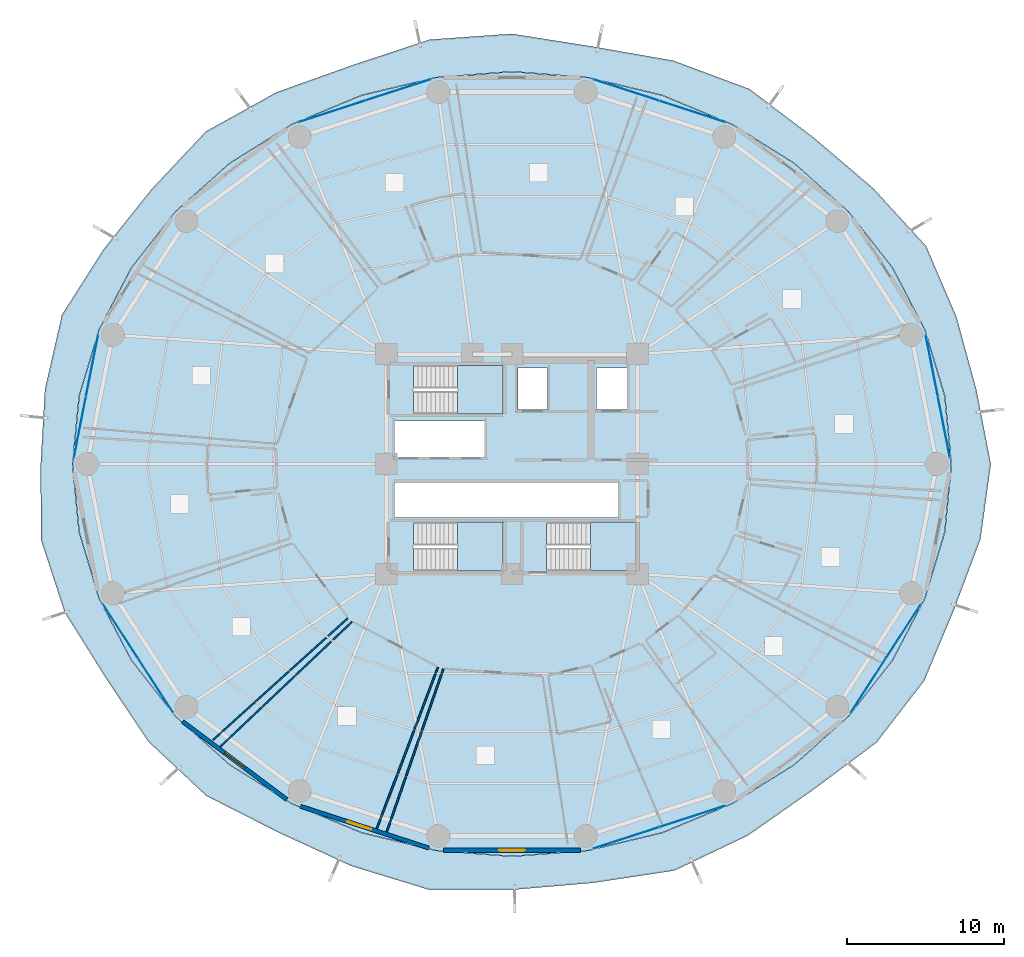
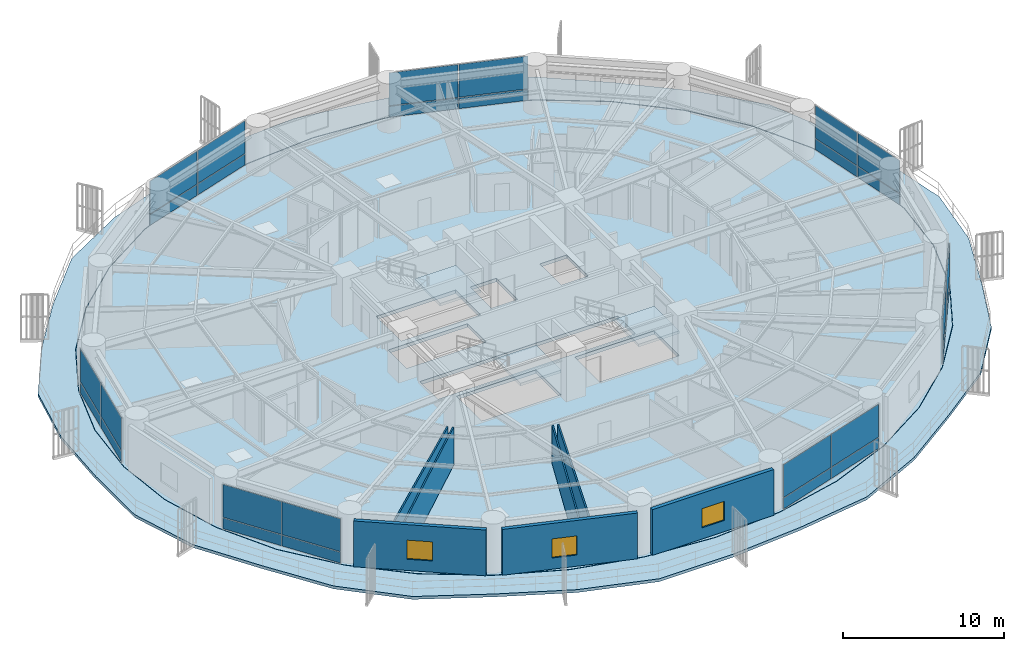
# One storey, part 22 of 32: 28 plates, 7 walls, 5 slabs, 3 windows, 3 openings, 10 elements without a shape of their own.
"""IFC4 building model written with IfcOpenShell, lengths in metres."""

from ifc_helpers import new_model, si_unit, direction, frame, frame_2d, origin, origin_2d, place, context, subcontext, project, spatial, polyline, rectangle, outline, extrude, source, transform, mapped, material, layer, layer_set, type_object, element, fill, aggregate, save


model = new_model("IFC4")

# Units and contexts
model_context = context("Model", 3, precision=1e-05, world=origin(), true_north=direction((0.0, 1.0)))
body_context = subcontext(model_context, "Body", "Model", "MODEL_VIEW")
ifc_project = project(units=[si_unit("LENGTHUNIT", "METRE"), si_unit("AREAUNIT", "SQUARE_METRE"), si_unit("VOLUMEUNIT", "CUBIC_METRE"), si_unit("PLANEANGLEUNIT", "RADIAN"), si_unit("MASSUNIT", "GRAM", prefix="KILO")], contexts=[model_context])

# Site, building, storey
site_placement = place(None, origin())
site = spatial("IfcSite", under=ifc_project, at=site_placement, CompositionType="ELEMENT")
building_placement = place(site_placement, origin())
building = spatial("IfcBuilding", under=site, at=building_placement, Name="Kelanora Arch Commons", CompositionType="ELEMENT")
storey_placement = place(building_placement, frame((0.0, 0.0, 56.25)))
storey = spatial("IfcBuildingStorey", under=building, at=storey_placement, Name="L14", CompositionType="ELEMENT", Elevation=56.25)

# Stair, slab
ifc_material_1 = material(Name="Concrete C40/50", Category="concrete")
stair_type = type_object("IfcStairType", Name="STR-DL-375", PredefinedType="HALF_TURN_STAIR", material=ifc_material_1)
stair_1_placement = place(storey_placement, origin())
stair_1 = element("IfcStair", 1, at=stair_1_placement, inside=storey, type_object=stair_type, Name="L14 ST-T1", PredefinedType="HALF_TURN_STAIR")
ifc_layer_1 = layer(ifc_material_1, 0.199951171875)
ifc_layer_set_1 = layer_set([ifc_layer_1], Name="Concrete C40/50")
slab_type_1 = type_object("IfcSlabType", Name="SLB-STAIR-LND", PredefinedType="LANDING", material=ifc_layer_set_1)
slab_1_placement = place(storey_placement, frame((0.0, 0.0, 1.675048828125)))
slab_1 = element("IfcSlab", 2, at=slab_1_placement, type_object=slab_type_1, Name="ST-T1 landing 1", PredefinedType="LANDING", context=body_context, shape_type="SweptSolid", body=[
    extrude(outline(polyline([(70.52001953125, 61.179931640625), (73.43994140625, 61.179931640625), (73.43994140625, 64.2900390625), (70.52001953125, 64.2900390625), (70.52001953125, 61.179931640625)])), origin(), (0.0, 0.0, 1.0), 0.199951171875),
])
aggregate(stair_1, [slab_1])

stair_2_placement = place(storey_placement, origin())
stair_2 = element("IfcStair", 3, at=stair_2_placement, inside=storey, type_object=stair_type, Name="L14 ST-T2", PredefinedType="HALF_TURN_STAIR")
slab_2_placement = place(storey_placement, frame((0.0, 0.0, 1.675048828125)))
slab_2 = element("IfcSlab", 4, at=slab_2_placement, type_object=slab_type_1, Name="ST-T2 landing 1", PredefinedType="LANDING", context=body_context, shape_type="SweptSolid", body=[
    extrude(outline(polyline([(79.0, 51.179931640625), (81.919921875, 51.179931640625), (81.919921875, 54.2900390625), (79.0, 54.2900390625), (79.0, 51.179931640625)])), origin(), (0.0, 0.0, 1.0), 0.199951171875),
])
aggregate(stair_2, [slab_2])

stair_3_placement = place(storey_placement, origin())
stair_3 = element("IfcStair", 5, at=stair_3_placement, inside=storey, type_object=stair_type, Name="L14 ST-T3", PredefinedType="HALF_TURN_STAIR")
slab_3_placement = place(storey_placement, frame((0.0, 0.0, 1.675048828125)))
slab_3 = element("IfcSlab", 6, at=slab_3_placement, type_object=slab_type_1, Name="ST-T3 landing 1", PredefinedType="LANDING", context=body_context, shape_type="SweptSolid", body=[
    extrude(outline(polyline([(70.52001953125, 51.179931640625), (73.43994140625, 51.179931640625), (73.43994140625, 54.2900390625), (70.52001953125, 54.2900390625), (70.52001953125, 51.179931640625)])), origin(), (0.0, 0.0, 1.0), 0.199951171875),
])
aggregate(stair_3, [slab_3])

# Slabs
ifc_layer_2 = layer(ifc_material_1, 0.260009765625)
ifc_layer_set_2 = layer_set([ifc_layer_2], Name="Concrete C40/50")
slab_type_2 = type_object("IfcSlabType", Name="SLB-TWR-TYP", PredefinedType="FLOOR", material=ifc_layer_set_2)
slab_4_placement = place(storey_placement, frame((0.0, 0.0, -0.260009765625)))
element("IfcSlab", 7, at=slab_4_placement, inside=storey, type_object=slab_type_2, Name="Tower Floor Slab L14", PredefinedType="FLOOR", context=body_context, shape_type="SweptSolid", body=[
    extrude(outline(polyline([(102.0, 58.0), (101.57470703125, 62.34130859375), (100.311279296875, 66.550537109375), (98.248779296875, 70.5), (95.44921875, 74.069580078125), (91.998046875, 77.151123046875), (88.0, 79.650634765625), (83.57666015625, 81.4921875), (78.862060546875, 82.6201171875), (74.0, 83.0), (69.137939453125, 82.6201171875), (64.42333984375, 81.4921875), (60.0, 79.650634765625), (56.001953125, 77.151123046875), (52.55078125, 74.069580078125), (49.751220703125, 70.5), (47.688720703125, 66.550537109375), (46.42529296875, 62.34130859375), (46.0, 58.0), (46.42529296875, 53.65869140625), (47.688720703125, 49.449462890625), (49.751220703125, 45.5), (52.55078125, 41.930419921875), (56.001953125, 38.848876953125), (60.0, 36.349365234375), (64.42333984375, 34.5078125), (69.137939453125, 33.3798828125), (74.0, 33.0), (78.862060546875, 33.3798828125), (83.57666015625, 34.5078125), (88.0, 36.349365234375), (91.998046875, 38.848876953125), (95.44921875, 41.930419921875), (98.248779296875, 45.5), (100.311279296875, 49.449462890625), (101.57470703125, 53.65869140625), (102.0, 58.0)]), holes=[polyline([(73.431884765625, 51.18798828125), (67.72802734375, 51.18798828125), (67.72802734375, 54.281982421875), (73.431884765625, 54.281982421875), (73.431884765625, 51.18798828125)]), polyline([(76.2080078125, 51.18798828125), (76.2080078125, 54.281982421875), (81.912109375, 54.281982421875), (81.912109375, 51.18798828125), (76.2080078125, 51.18798828125)]), polyline([(66.550048828125, 54.60009765625), (66.550048828125, 56.800048828125), (80.75, 56.800048828125), (80.75, 54.60009765625), (66.550048828125, 54.60009765625)]), polyline([(66.550048828125, 58.449951171875), (66.550048828125, 60.75), (72.25, 60.75), (72.25, 58.449951171875), (66.550048828125, 58.449951171875)]), polyline([(67.72802734375, 61.18798828125), (67.72802734375, 64.281982421875), (73.431884765625, 64.281982421875), (73.431884765625, 61.18798828125), (67.72802734375, 61.18798828125)]), polyline([(74.3798828125, 61.47998046875), (74.3798828125, 64.1201171875), (76.260009765625, 64.1201171875), (76.260009765625, 61.47998046875), (74.3798828125, 61.47998046875)]), polyline([(79.3798828125, 61.47998046875), (79.3798828125, 64.1201171875), (81.320068359375, 64.1201171875), (81.320068359375, 61.47998046875), (79.3798828125, 61.47998046875)])]), origin(), (0.0, 0.0, 1.0), 0.260009765625),
])
ifc_layer_3 = layer(ifc_material_1, 0.219970703125)
ifc_layer_set_3 = layer_set([ifc_layer_3], Name="Concrete C40/50")
slab_type_3 = type_object("IfcSlabType", Name="SLB-WAVE-BAL", PredefinedType="FLOOR", material=ifc_layer_set_3)
slab_5_placement = place(storey_placement, frame((0.0, 0.0, -0.219970703125)))
element("IfcSlab", 8, at=slab_5_placement, inside=storey, type_object=slab_type_3, Name="Sinusoidal Wave Balcony Slab L14", PredefinedType="FLOOR", context=body_context, shape_type="SweptSolid", body=[
    extrude(outline(polyline([(104.52490234375, 58.0), (103.603515625, 62.741943359375), (102.336181640625, 67.3759765625), (100.400390625, 71.891357421875), (97.042724609375, 75.567138671875), (93.238037109375, 78.80615234375), (89.156982421875, 81.89501953125), (84.297119140625, 83.709228515625), (79.17431640625, 84.6025390625), (74.0, 85.422607421875), (68.7548828125, 85.052734375), (63.79931640625, 83.412841796875), (58.9541015625, 81.679443359375), (54.4755859375, 79.1884765625), (51.0185546875, 75.509521484375), (47.9521484375, 71.663330078125), (45.319580078125, 67.51611328125), (44.23388671875, 62.77392578125), (43.9599609375, 58.0), (43.9755859375, 53.175048828125), (45.486328125, 48.5517578125), (48.069580078125, 44.41259765625), (50.817626953125, 40.301513671875), (54.5048828125, 36.8505859375), (59.065185546875, 34.5361328125), (63.73291015625, 32.38330078125), (68.739990234375, 30.852783203125), (74.0, 30.857421875), (79.189208984375, 31.302978515625), (84.36328125, 32.086669921875), (89.0458984375, 34.320556640625), (93.208984375, 37.23291015625), (97.24365234375, 40.243896484375), (100.282958984375, 44.1845703125), (102.169677734375, 48.69189453125), (103.861572265625, 53.207275390625), (104.52490234375, 58.0)]), holes=[polyline([(101.59423828125, 53.6552734375), (100.330078125, 49.442626953125), (98.26611328125, 45.489990234375), (95.464599609375, 41.91748046875), (92.010986328125, 38.83349609375), (88.010009765625, 36.33203125), (83.58349609375, 34.489013671875), (78.865478515625, 33.360107421875), (74.0, 32.97998046875), (69.134521484375, 33.360107421875), (64.41650390625, 34.489013671875), (59.989990234375, 36.33203125), (55.989013671875, 38.83349609375), (52.535400390625, 41.91748046875), (49.73388671875, 45.489990234375), (47.669921875, 49.442626953125), (46.40576171875, 53.6552734375), (45.97998046875, 58.0), (46.40576171875, 62.3447265625), (47.669921875, 66.557373046875), (49.73388671875, 70.510009765625), (52.535400390625, 74.08251953125), (55.989013671875, 77.16650390625), (59.989990234375, 79.66796875), (64.41650390625, 81.510986328125), (69.134521484375, 82.639892578125), (74.0, 83.02001953125), (78.865478515625, 82.639892578125), (83.58349609375, 81.510986328125), (88.010009765625, 79.66796875), (92.010986328125, 77.16650390625), (95.464599609375, 74.08251953125), (98.26611328125, 70.510009765625), (100.330078125, 66.557373046875), (101.59423828125, 62.3447265625), (102.02001953125, 58.0), (101.59423828125, 53.6552734375)])]), origin(), (0.0, 0.0, 1.0), 0.219970703125),
])

# Curtain wall, plates
ifc_material_2 = material(Name="Terracotta ceramic-fritted low-E glass and aluminium", Category="masonry")
ifc_layer_4 = layer(ifc_material_2, 0.159912109375)
ifc_layer_set_4 = layer_set([ifc_layer_4], Name="Terracotta ceramic-fritted low-E glass and aluminium")
curtain_wall_type = type_object("IfcCurtainWallType", Name="CW-SYS-01", PredefinedType="NOTDEFINED", material=ifc_layer_set_4)
curtain_wall_1_placement = place(storey_placement, origin())
curtain_wall_1 = element("IfcCurtainWall", 9, at=curtain_wall_1_placement, inside=storey, type_object=curtain_wall_type, Name="Unitised Curtain Wall L14-B00", PredefinedType="NOTDEFINED")
ifc_material_3 = material(Name="Terracotta ceramic-fritted double glazing", Category="masonry")
ifc_layer_5 = layer(ifc_material_3, 0.028076171875)
ifc_layer_set_5 = layer_set([ifc_layer_5], Name="Terracotta ceramic-fritted double glazing")
plate_type = type_object("IfcPlateType", Name="CWP-FRIT", PredefinedType="CURTAIN_PANEL", material=ifc_layer_set_5)
shared_shape_1 = source(origin(), body_context, "Body", "SweptSolid", [
    extrude(rectangle(XDim=3.9482421875, YDim=0.028076171875, at=origin_2d()), origin(), (0.0, 0.0, 1.0), 0.81005859375),
])
plate_1_placement = place(storey_placement, frame((101.536865234375, 60.34521484375, 0.06005859375), z_axis=(0.0, 0.0, 1.0), x_axis=(-0.193744048498, 0.981052110579, 0.0)))
plate_1 = element("IfcPlate", 10, at=plate_1_placement, type_object=plate_type, Name="CW-01 panel 1.1", PredefinedType="CURTAIN_PANEL", context=body_context, shape_type="MappedRepresentation", body=[
    mapped(shared_shape_1, transform((0.0, 0.0, 0.0), scale=1.0)),
])
plate_2_placement = place(storey_placement, frame((100.76025390625, 64.277587890625, 0.06005859375), z_axis=(0.0, 0.0, 1.0), x_axis=(-0.193744048498, 0.981052110579, 0.0)))
plate_2 = element("IfcPlate", 11, at=plate_2_placement, type_object=plate_type, Name="CW-01 panel 2.1", PredefinedType="CURTAIN_PANEL", context=body_context, shape_type="MappedRepresentation", body=[
    mapped(shared_shape_1, transform((0.0, 0.0, 0.0), scale=1.0)),
])

curtain_wall_2_placement = place(storey_placement, origin())
curtain_wall_2 = element("IfcCurtainWall", 12, at=curtain_wall_2_placement, inside=storey, type_object=curtain_wall_type, Name="Unitised Curtain Wall L14-B08", PredefinedType="NOTDEFINED")
plate_3_placement = place(storey_placement, frame((47.23974609375, 64.277587890625, 0.06005859375), z_axis=(0.0, 0.0, 1.0), x_axis=(-0.193744048498, -0.981052110579, 0.0)))
plate_3 = element("IfcPlate", 13, at=plate_3_placement, type_object=plate_type, Name="CW-01 panel 1.1", PredefinedType="CURTAIN_PANEL", context=body_context, shape_type="MappedRepresentation", body=[
    mapped(shared_shape_1, transform((0.0, 0.0, 0.0), scale=1.0)),
])
plate_4_placement = place(storey_placement, frame((46.463134765625, 60.34521484375, 0.06005859375), z_axis=(0.0, 0.0, 1.0), x_axis=(-0.193744048498, -0.981052110579, 0.0)))
plate_4 = element("IfcPlate", 14, at=plate_4_placement, type_object=plate_type, Name="CW-01 panel 2.1", PredefinedType="CURTAIN_PANEL", context=body_context, shape_type="MappedRepresentation", body=[
    mapped(shared_shape_1, transform((0.0, 0.0, 0.0), scale=1.0)),
])

# Plate
shared_shape_2 = source(origin(), body_context, "Body", "SweptSolid", [
    extrude(rectangle(XDim=3.9482421875, YDim=0.028076171875, at=origin_2d()), origin(), (0.0, 0.0, 1.0), 2.485107421875),
])
plate_5_placement = place(storey_placement, frame((101.536865234375, 60.34521484375, 0.93017578125), z_axis=(0.0, 0.0, 1.0), x_axis=(-0.193744048498, 0.981052110579, 0.0)))
plate_5 = element("IfcPlate", 15, at=plate_5_placement, type_object=plate_type, Name="CW-01 panel 1.2", PredefinedType="CURTAIN_PANEL", context=body_context, shape_type="MappedRepresentation", body=[
    mapped(shared_shape_2, transform((0.0, 0.0, 0.0), scale=1.0)),
])

plate_6_placement = place(storey_placement, frame((100.76025390625, 64.277587890625, 0.93017578125), z_axis=(0.0, 0.0, 1.0), x_axis=(-0.193744048498, 0.981052110579, 0.0)))
plate_6 = element("IfcPlate", 16, at=plate_6_placement, type_object=plate_type, Name="CW-01 panel 2.2", PredefinedType="CURTAIN_PANEL", context=body_context, shape_type="MappedRepresentation", body=[
    mapped(shared_shape_2, transform((0.0, 0.0, 0.0), scale=1.0)),
])

aggregate(curtain_wall_1, [plate_1, plate_5, plate_2, plate_6])

plate_7_placement = place(storey_placement, frame((47.23974609375, 64.277587890625, 0.93017578125), z_axis=(0.0, 0.0, 1.0), x_axis=(-0.193744048498, -0.981052110579, 0.0)))
plate_7 = element("IfcPlate", 17, at=plate_7_placement, type_object=plate_type, Name="CW-01 panel 1.2", PredefinedType="CURTAIN_PANEL", context=body_context, shape_type="MappedRepresentation", body=[
    mapped(shared_shape_2, transform((0.0, 0.0, 0.0), scale=1.0)),
])

plate_8_placement = place(storey_placement, frame((46.463134765625, 60.34521484375, 0.93017578125), z_axis=(0.0, 0.0, 1.0), x_axis=(-0.193744048498, -0.981052110579, 0.0)))
plate_8 = element("IfcPlate", 18, at=plate_8_placement, type_object=plate_type, Name="CW-01 panel 2.2", PredefinedType="CURTAIN_PANEL", context=body_context, shape_type="MappedRepresentation", body=[
    mapped(shared_shape_2, transform((0.0, 0.0, 0.0), scale=1.0)),
])

aggregate(curtain_wall_2, [plate_3, plate_7, plate_4, plate_8])

# Curtain wall, plates
curtain_wall_3_placement = place(storey_placement, origin())
curtain_wall_3 = element("IfcCurtainWall", 19, at=curtain_wall_3_placement, inside=storey, type_object=curtain_wall_type, Name="Unitised Curtain Wall L14-B03", PredefinedType="NOTDEFINED")
shared_shape_3 = source(origin(), body_context, "Body", "SweptSolid", [
    extrude(rectangle(XDim=4.39453125, YDim=0.028076171875, at=origin_2d()), origin(), (0.0, 0.0, 1.0), 0.81005859375),
])
plate_9_placement = place(storey_placement, frame((85.4892578125, 80.466552734375, 0.06005859375), z_axis=(0.0, 0.0, 1.0), x_axis=(-0.951043326793, 0.30905758454, 0.0)))
plate_9 = element("IfcPlate", 20, at=plate_9_placement, type_object=plate_type, Name="CW-01 panel 1.1", PredefinedType="CURTAIN_PANEL", context=body_context, shape_type="MappedRepresentation", body=[
    mapped(shared_shape_3, transform((0.0, 0.0, 0.0), scale=1.0)),
])
plate_10_placement = place(storey_placement, frame((81.252685546875, 81.84326171875, 0.06005859375), z_axis=(0.0, 0.0, 1.0), x_axis=(-0.951043326793, 0.30905758454, 0.0)))
plate_10 = element("IfcPlate", 21, at=plate_10_placement, type_object=plate_type, Name="CW-01 panel 2.1", PredefinedType="CURTAIN_PANEL", context=body_context, shape_type="MappedRepresentation", body=[
    mapped(shared_shape_3, transform((0.0, 0.0, 0.0), scale=1.0)),
])

curtain_wall_4_placement = place(storey_placement, origin())
curtain_wall_4 = element("IfcCurtainWall", 22, at=curtain_wall_4_placement, inside=storey, type_object=curtain_wall_type, Name="Unitised Curtain Wall L14-B05", PredefinedType="NOTDEFINED")
plate_11_placement = place(storey_placement, frame((66.747314453125, 81.84326171875, 0.06005859375), z_axis=(0.0, 0.0, 1.0), x_axis=(-0.951043326793, -0.30905758454, 0.0)))
plate_11 = element("IfcPlate", 23, at=plate_11_placement, type_object=plate_type, Name="CW-01 panel 1.1", PredefinedType="CURTAIN_PANEL", context=body_context, shape_type="MappedRepresentation", body=[
    mapped(shared_shape_3, transform((0.0, 0.0, 0.0), scale=1.0)),
])
plate_12_placement = place(storey_placement, frame((62.5107421875, 80.466552734375, 0.06005859375), z_axis=(0.0, 0.0, 1.0), x_axis=(-0.951043326793, -0.30905758454, 0.0)))
plate_12 = element("IfcPlate", 24, at=plate_12_placement, type_object=plate_type, Name="CW-01 panel 2.1", PredefinedType="CURTAIN_PANEL", context=body_context, shape_type="MappedRepresentation", body=[
    mapped(shared_shape_3, transform((0.0, 0.0, 0.0), scale=1.0)),
])

curtain_wall_5_placement = place(storey_placement, origin())
curtain_wall_5 = element("IfcCurtainWall", 25, at=curtain_wall_5_placement, inside=storey, type_object=curtain_wall_type, Name="Unitised Curtain Wall L14-B14", PredefinedType="NOTDEFINED")
plate_13_placement = place(storey_placement, frame((81.252685546875, 34.15673828125, 0.06005859375), z_axis=(0.0, 0.0, 1.0), x_axis=(0.951043326793, 0.30905758454, 0.0)))
plate_13 = element("IfcPlate", 26, at=plate_13_placement, type_object=plate_type, Name="CW-01 panel 1.1", PredefinedType="CURTAIN_PANEL", context=body_context, shape_type="MappedRepresentation", body=[
    mapped(shared_shape_3, transform((0.0, 0.0, 0.0), scale=1.0)),
])
plate_14_placement = place(storey_placement, frame((85.4892578125, 35.533447265625, 0.06005859375), z_axis=(0.0, 0.0, 1.0), x_axis=(0.951043326793, 0.30905758454, 0.0)))
plate_14 = element("IfcPlate", 27, at=plate_14_placement, type_object=plate_type, Name="CW-01 panel 2.1", PredefinedType="CURTAIN_PANEL", context=body_context, shape_type="MappedRepresentation", body=[
    mapped(shared_shape_3, transform((0.0, 0.0, 0.0), scale=1.0)),
])

# Plate
shared_shape_4 = source(origin(), body_context, "Body", "SweptSolid", [
    extrude(rectangle(XDim=4.39453125, YDim=0.028076171875, at=origin_2d()), origin(), (0.0, 0.0, 1.0), 2.485107421875),
])
plate_15_placement = place(storey_placement, frame((85.4892578125, 80.466552734375, 0.93017578125), z_axis=(0.0, 0.0, 1.0), x_axis=(-0.951043326793, 0.30905758454, 0.0)))
plate_15 = element("IfcPlate", 28, at=plate_15_placement, type_object=plate_type, Name="CW-01 panel 1.2", PredefinedType="CURTAIN_PANEL", context=body_context, shape_type="MappedRepresentation", body=[
    mapped(shared_shape_4, transform((0.0, 0.0, 0.0), scale=1.0)),
])

plate_16_placement = place(storey_placement, frame((81.252685546875, 81.84326171875, 0.93017578125), z_axis=(0.0, 0.0, 1.0), x_axis=(-0.951043326793, 0.30905758454, 0.0)))
plate_16 = element("IfcPlate", 29, at=plate_16_placement, type_object=plate_type, Name="CW-01 panel 2.2", PredefinedType="CURTAIN_PANEL", context=body_context, shape_type="MappedRepresentation", body=[
    mapped(shared_shape_4, transform((0.0, 0.0, 0.0), scale=1.0)),
])

aggregate(curtain_wall_3, [plate_9, plate_15, plate_10, plate_16])

plate_17_placement = place(storey_placement, frame((66.747314453125, 81.84326171875, 0.93017578125), z_axis=(0.0, 0.0, 1.0), x_axis=(-0.951043326793, -0.30905758454, 0.0)))
plate_17 = element("IfcPlate", 30, at=plate_17_placement, type_object=plate_type, Name="CW-01 panel 1.2", PredefinedType="CURTAIN_PANEL", context=body_context, shape_type="MappedRepresentation", body=[
    mapped(shared_shape_4, transform((0.0, 0.0, 0.0), scale=1.0)),
])

plate_18_placement = place(storey_placement, frame((62.5107421875, 80.466552734375, 0.93017578125), z_axis=(0.0, 0.0, 1.0), x_axis=(-0.951043326793, -0.30905758454, 0.0)))
plate_18 = element("IfcPlate", 31, at=plate_18_placement, type_object=plate_type, Name="CW-01 panel 2.2", PredefinedType="CURTAIN_PANEL", context=body_context, shape_type="MappedRepresentation", body=[
    mapped(shared_shape_4, transform((0.0, 0.0, 0.0), scale=1.0)),
])

aggregate(curtain_wall_4, [plate_11, plate_17, plate_12, plate_18])

plate_19_placement = place(storey_placement, frame((81.252685546875, 34.15673828125, 0.93017578125), z_axis=(0.0, 0.0, 1.0), x_axis=(0.951043326793, 0.30905758454, 0.0)))
plate_19 = element("IfcPlate", 32, at=plate_19_placement, type_object=plate_type, Name="CW-01 panel 1.2", PredefinedType="CURTAIN_PANEL", context=body_context, shape_type="MappedRepresentation", body=[
    mapped(shared_shape_4, transform((0.0, 0.0, 0.0), scale=1.0)),
])

plate_20_placement = place(storey_placement, frame((85.4892578125, 35.533447265625, 0.93017578125), z_axis=(0.0, 0.0, 1.0), x_axis=(0.951043326793, 0.30905758454, 0.0)))
plate_20 = element("IfcPlate", 33, at=plate_20_placement, type_object=plate_type, Name="CW-01 panel 2.2", PredefinedType="CURTAIN_PANEL", context=body_context, shape_type="MappedRepresentation", body=[
    mapped(shared_shape_4, transform((0.0, 0.0, 0.0), scale=1.0)),
])

aggregate(curtain_wall_5, [plate_13, plate_19, plate_14, plate_20])

# Curtain wall, plates
curtain_wall_6_placement = place(storey_placement, origin())
curtain_wall_6 = element("IfcCurtainWall", 34, at=curtain_wall_6_placement, inside=storey, type_object=curtain_wall_type, Name="Unitised Curtain Wall L14-B10", PredefinedType="NOTDEFINED")
shared_shape_5 = source(origin(), body_context, "Body", "SweptSolid", [
    extrude(rectangle(XDim=4.06787109375, YDim=0.028076171875, at=origin_2d()), origin(), (0.0, 0.0, 1.0), 0.81005859375),
])
plate_21_placement = place(storey_placement, frame((49.04833984375, 47.346435546875, 0.06005859375), z_axis=(0.0, 0.0, 1.0), x_axis=(0.543004441812, -0.83972982332, 0.0)))
plate_21 = element("IfcPlate", 35, at=plate_21_placement, type_object=plate_type, Name="CW-01 panel 1.1", PredefinedType="CURTAIN_PANEL", context=body_context, shape_type="MappedRepresentation", body=[
    mapped(shared_shape_5, transform((0.0, 0.0, 0.0), scale=1.0)),
])
plate_22_placement = place(storey_placement, frame((51.289794921875, 43.880126953125, 0.06005859375), z_axis=(0.0, 0.0, 1.0), x_axis=(0.543004441812, -0.83972982332, 0.0)))
plate_22 = element("IfcPlate", 36, at=plate_22_placement, type_object=plate_type, Name="CW-01 panel 2.1", PredefinedType="CURTAIN_PANEL", context=body_context, shape_type="MappedRepresentation", body=[
    mapped(shared_shape_5, transform((0.0, 0.0, 0.0), scale=1.0)),
])

curtain_wall_7_placement = place(storey_placement, origin())
curtain_wall_7 = element("IfcCurtainWall", 37, at=curtain_wall_7_placement, inside=storey, type_object=curtain_wall_type, Name="Unitised Curtain Wall L14-B16", PredefinedType="NOTDEFINED")
plate_23_placement = place(storey_placement, frame((96.710205078125, 43.880126953125, 0.06005859375), z_axis=(0.0, 0.0, 1.0), x_axis=(0.543004441812, 0.83972982332, 0.0)))
plate_23 = element("IfcPlate", 38, at=plate_23_placement, type_object=plate_type, Name="CW-01 panel 1.1", PredefinedType="CURTAIN_PANEL", context=body_context, shape_type="MappedRepresentation", body=[
    mapped(shared_shape_5, transform((0.0, 0.0, 0.0), scale=1.0)),
])
plate_24_placement = place(storey_placement, frame((98.95166015625, 47.346435546875, 0.06005859375), z_axis=(0.0, 0.0, 1.0), x_axis=(0.543004441812, 0.83972982332, 0.0)))
plate_24 = element("IfcPlate", 39, at=plate_24_placement, type_object=plate_type, Name="CW-01 panel 2.1", PredefinedType="CURTAIN_PANEL", context=body_context, shape_type="MappedRepresentation", body=[
    mapped(shared_shape_5, transform((0.0, 0.0, 0.0), scale=1.0)),
])

# Plate
shared_shape_6 = source(origin(), body_context, "Body", "SweptSolid", [
    extrude(rectangle(XDim=4.06787109375, YDim=0.028076171875, at=origin_2d()), origin(), (0.0, 0.0, 1.0), 2.485107421875),
])
plate_25_placement = place(storey_placement, frame((49.04833984375, 47.346435546875, 0.93017578125), z_axis=(0.0, 0.0, 1.0), x_axis=(0.543004441812, -0.83972982332, 0.0)))
plate_25 = element("IfcPlate", 40, at=plate_25_placement, type_object=plate_type, Name="CW-01 panel 1.2", PredefinedType="CURTAIN_PANEL", context=body_context, shape_type="MappedRepresentation", body=[
    mapped(shared_shape_6, transform((0.0, 0.0, 0.0), scale=1.0)),
])

plate_26_placement = place(storey_placement, frame((51.289794921875, 43.880126953125, 0.93017578125), z_axis=(0.0, 0.0, 1.0), x_axis=(0.543004441812, -0.83972982332, 0.0)))
plate_26 = element("IfcPlate", 41, at=plate_26_placement, type_object=plate_type, Name="CW-01 panel 2.2", PredefinedType="CURTAIN_PANEL", context=body_context, shape_type="MappedRepresentation", body=[
    mapped(shared_shape_6, transform((0.0, 0.0, 0.0), scale=1.0)),
])

aggregate(curtain_wall_6, [plate_21, plate_25, plate_22, plate_26])

plate_27_placement = place(storey_placement, frame((96.710205078125, 43.880126953125, 0.93017578125), z_axis=(0.0, 0.0, 1.0), x_axis=(0.543004441812, 0.83972982332, 0.0)))
plate_27 = element("IfcPlate", 42, at=plate_27_placement, type_object=plate_type, Name="CW-01 panel 1.2", PredefinedType="CURTAIN_PANEL", context=body_context, shape_type="MappedRepresentation", body=[
    mapped(shared_shape_6, transform((0.0, 0.0, 0.0), scale=1.0)),
])

plate_28_placement = place(storey_placement, frame((98.95166015625, 47.346435546875, 0.93017578125), z_axis=(0.0, 0.0, 1.0), x_axis=(0.543004441812, 0.83972982332, 0.0)))
plate_28 = element("IfcPlate", 43, at=plate_28_placement, type_object=plate_type, Name="CW-01 panel 2.2", PredefinedType="CURTAIN_PANEL", context=body_context, shape_type="MappedRepresentation", body=[
    mapped(shared_shape_6, transform((0.0, 0.0, 0.0), scale=1.0)),
])

aggregate(curtain_wall_7, [plate_23, plate_27, plate_24, plate_28])

# Wall, opening, window
ifc_material_4 = material(Name="Precast concrete C40/50 with terracotta rainscreen", Category="masonry")
ifc_layer_6 = layer(ifc_material_4, 0.260009765625)
ifc_layer_set_6 = layer_set([ifc_layer_6], Name="Precast concrete C40/50 with terracotta rainscreen")
wall_type_1 = type_object("IfcWallType", Name="W-EXT-TC", PredefinedType="SOLIDWALL", material=ifc_layer_set_6)
wall_1_placement = place(storey_placement, frame((53.01611328125, 41.581787109375, 0.0), z_axis=(0.0, 0.0, 1.0), x_axis=(0.80030733173, -0.599590005569, 0.0)))
wall_1 = element("IfcWall", 44, at=wall_1_placement, inside=storey, type_object=wall_type_1, Name="Terracotta Exterior Wall L14-B11", PredefinedType="SOLIDWALL", context=body_context, shape_type="SweptSolid", body=[
    extrude(rectangle(XDim=8.29052734375, YDim=0.260009765625, at=frame_2d((4.145263671875, 0.0))), origin(), (0.0, 0.0, 1.0), 3.47509765625),
])
opening_1_placement = place(wall_1_placement, frame((3.344970703125, 0.0, 0.85009765625)))
opening_1 = element("IfcOpeningElement", 45, at=opening_1_placement, cuts=wall_1, Name="Opening WN-01", PredefinedType="OPENING", context=body_context, shape_type="SweptSolid", body=[
    extrude(rectangle(XDim=1.60009765625, YDim=1.449951171875, at=frame_2d((0.800048828125, 0.72509765625))), frame((0.0, 0.14013671875, 0.0), z_axis=(0.0, -1.0, 0.0), x_axis=(1.0, 0.0, 0.0)), (0.0, 0.0, 1.0), 0.280029296875),
])
ifc_material_5 = material(Name="Terracotta-anodised aluminium frame with operable low-E glazing", Category="masonry")
window_type = type_object("IfcWindowType", Name="WIN-CL-18", PartitioningType="DOUBLE_PANEL_VERTICAL", PredefinedType="WINDOW", material=ifc_material_5)
window_1_placement = place(opening_1_placement, origin())
window_1 = element("IfcWindow", 46, at=window_1_placement, inside=storey, type_object=window_type, Name="Co-Living Operable Window L14-B11", OverallHeight=1.449951171875, OverallWidth=1.60009765625, PartitioningType="SINGLE_PANEL", PredefinedType="WINDOW", context=body_context, shape_type="SweptSolid", body=[
    extrude(rectangle(XDim=1.60009765625, YDim=1.449951171875, at=frame_2d((0.800048828125, 0.72509765625))), frame((0.0, 0.030029296875, 0.0), z_axis=(0.0, -1.0, 0.0), x_axis=(1.0, 0.0, 0.0)), (0.0, 0.0, 1.0), 0.06005859375),
])
fill(opening_1, window_1)

wall_2_placement = place(storey_placement, frame((60.5263671875, 36.178466796875, 0.0), z_axis=(0.0, 0.0, 1.0), x_axis=(0.951039914291, -0.309068085421, 0.0)))
wall_2 = element("IfcWall", 47, at=wall_2_placement, inside=storey, type_object=wall_type_1, Name="Terracotta Exterior Wall L14-B12", PredefinedType="SOLIDWALL", context=body_context, shape_type="SweptSolid", body=[
    extrude(rectangle(XDim=8.593505859375, YDim=0.260009765625, at=frame_2d((4.296875, 0.0))), origin(), (0.0, 0.0, 1.0), 3.47509765625),
])
opening_2_placement = place(wall_2_placement, frame((3.136962890625, 0.0, 0.85009765625)))
opening_2 = element("IfcOpeningElement", 48, at=opening_2_placement, cuts=wall_2, Name="Opening WN-01", PredefinedType="OPENING", context=body_context, shape_type="SweptSolid", body=[
    extrude(rectangle(XDim=1.60009765625, YDim=1.449951171875, at=frame_2d((0.800048828125, 0.72509765625))), frame((0.0, 0.14013671875, 0.0), z_axis=(0.0, -1.0, 0.0), x_axis=(1.0, 0.0, 0.0)), (0.0, 0.0, 1.0), 0.280029296875),
])
window_2_placement = place(opening_2_placement, origin())
window_2 = element("IfcWindow", 49, at=window_2_placement, inside=storey, type_object=window_type, Name="Co-Living Operable Window L14-B12", OverallHeight=1.449951171875, OverallWidth=1.60009765625, PartitioningType="SINGLE_PANEL", PredefinedType="WINDOW", context=body_context, shape_type="SweptSolid", body=[
    extrude(rectangle(XDim=1.60009765625, YDim=1.449951171875, at=frame_2d((0.800048828125, 0.72509765625))), frame((0.0, 0.030029296875, 0.0), z_axis=(0.0, -1.0, 0.0), x_axis=(1.0, 0.0, 0.0)), (0.0, 0.0, 1.0), 0.06005859375),
])
fill(opening_2, window_2)

wall_3_placement = place(storey_placement, frame((69.64404296875, 33.3798828125, 0.0), z_axis=(0.0, 0.0, 1.0), x_axis=(1.0, 0.0, 0.0)))
wall_3 = element("IfcWall", 50, at=wall_3_placement, inside=storey, type_object=wall_type_1, Name="Terracotta Exterior Wall L14-B13", PredefinedType="SOLIDWALL", context=body_context, shape_type="SweptSolid", body=[
    extrude(rectangle(XDim=8.7119140625, YDim=0.260009765625, at=frame_2d((4.35595703125, 0.0))), origin(), (0.0, 0.0, 1.0), 3.47509765625),
])
opening_3_placement = place(wall_3_placement, frame((3.555908203125, 0.0, 0.85009765625)))
opening_3 = element("IfcOpeningElement", 51, at=opening_3_placement, cuts=wall_3, Name="Opening WN-01", PredefinedType="OPENING", context=body_context, shape_type="SweptSolid", body=[
    extrude(rectangle(XDim=1.60009765625, YDim=1.449951171875, at=frame_2d((0.800048828125, 0.72509765625))), frame((0.0, 0.14013671875, 0.0), z_axis=(0.0, -1.0, 0.0), x_axis=(1.0, 0.0, 0.0)), (0.0, 0.0, 1.0), 0.280029296875),
])
window_3_placement = place(opening_3_placement, origin())
window_3 = element("IfcWindow", 52, at=window_3_placement, inside=storey, type_object=window_type, Name="Co-Living Operable Window L14-B13", OverallHeight=1.449951171875, OverallWidth=1.60009765625, PartitioningType="SINGLE_PANEL", PredefinedType="WINDOW", context=body_context, shape_type="SweptSolid", body=[
    extrude(rectangle(XDim=1.60009765625, YDim=1.449951171875, at=frame_2d((0.800048828125, 0.72509765625))), frame((0.0, 0.030029296875, 0.0), z_axis=(0.0, -1.0, 0.0), x_axis=(1.0, 0.0, 0.0)), (0.0, 0.0, 1.0), 0.06005859375),
])
fill(opening_3, window_3)

# Walls
ifc_material_6 = material(Name="Lightweight fire-rated acoustic stud partition")
ifc_layer_7 = layer(ifc_material_6, 0.10009765625)
ifc_layer_set_7 = layer_set([ifc_layer_7], Name="Lightweight fire-rated acoustic stud partition")
wall_type_2 = type_object("IfcWallType", Name="W-PART-100", PredefinedType="PARTITIONING", material=ifc_layer_set_7)
wall_4_placement = place(storey_placement, frame((63.5322265625, 48.166259765625, 0.0), z_axis=(0.0, 0.0, 1.0), x_axis=(-0.742191353367, -0.670188029577, 0.0)))
element("IfcWall", 53, at=wall_4_placement, inside=storey, type_object=wall_type_2, Name="Communal Dining and Social Hall L14-08 Enclosure Partition 2", PredefinedType="PARTITIONING", context=body_context, shape_type="SweptSolid", body=[
    extrude(rectangle(XDim=11.569091796875, YDim=0.10009765625, at=frame_2d((5.78466796875, 0.0))), origin(), (0.0, 0.0, 1.0), 2.875),
])
wall_5_placement = place(storey_placement, frame((69.273681640625, 45.01953125, 0.0), z_axis=(0.0, 0.0, 1.0), x_axis=(-0.354325845477, -0.935122021571, 0.0)))
element("IfcWall", 54, at=wall_5_placement, inside=storey, type_object=wall_type_2, Name="Quiet Seminar Study Room L14-09 Enclosure Partition 2", PredefinedType="PARTITIONING", context=body_context, shape_type="SweptSolid", body=[
    extrude(rectangle(XDim=10.937744140625, YDim=0.10009765625, at=frame_2d((5.46875, 0.0))), origin(), (0.0, 0.0, 1.0), 2.875),
])
wall_6_placement = place(storey_placement, frame((55.43310546875, 40.00341796875, 0.0), z_axis=(0.0, 0.0, 1.0), x_axis=(0.725627678847, 0.688087546531, 0.0)))
element("IfcWall", 55, at=wall_6_placement, inside=storey, type_object=wall_type_2, Name="Quiet Seminar Study Room L14-09 Enclosure Partition 4", PredefinedType="PARTITIONING", context=body_context, shape_type="SweptSolid", body=[
    extrude(rectangle(XDim=11.530517578125, YDim=0.10009765625, at=frame_2d((5.76513671875, 0.0))), origin(), (0.0, 0.0, 1.0), 2.875),
])
wall_7_placement = place(storey_placement, frame((66.0380859375, 34.61181640625, 0.0), z_axis=(0.0, 0.0, 1.0), x_axis=(0.328662915274, 0.944447292401, 0.0)))
element("IfcWall", 56, at=wall_7_placement, inside=storey, type_object=wall_type_2, Name="Quiet Seminar Study Room L14-10 Enclosure Partition 4", PredefinedType="PARTITIONING", context=body_context, shape_type="SweptSolid", body=[
    extrude(rectangle(XDim=10.91357421875, YDim=0.10009765625, at=frame_2d((5.456787109375, 0.0))), origin(), (0.0, 0.0, 1.0), 2.875),
])

save(model, "model.ifc")
